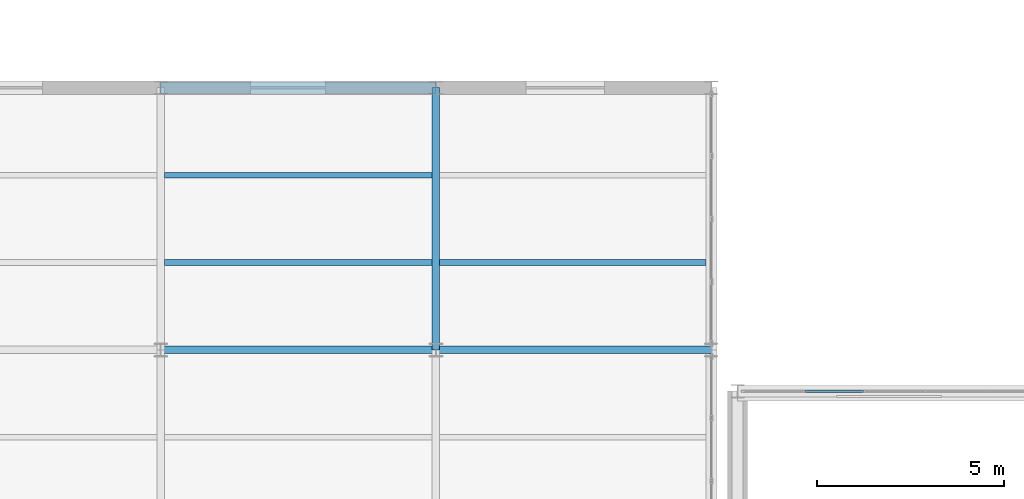
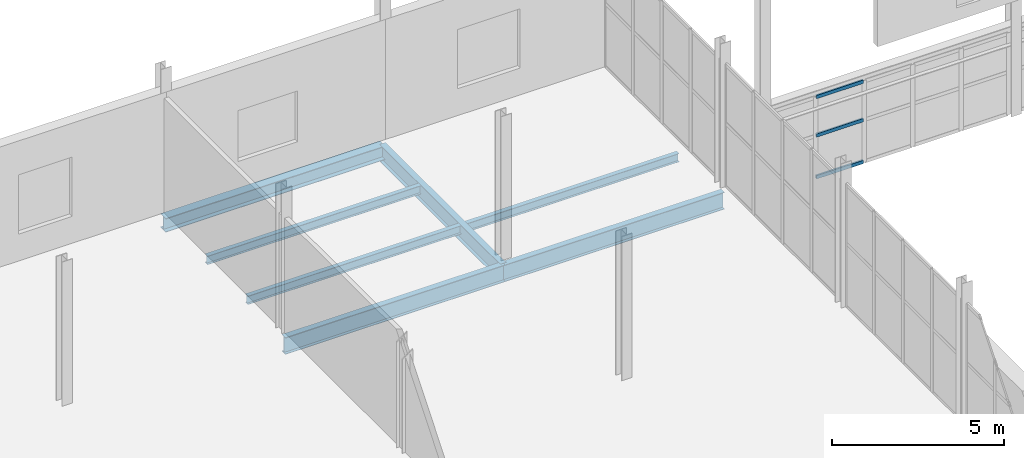
# One storey, part 58 of 218: 7 beams, 3 members, 1 element without a shape of its own.
"""IFC4 building model written with IfcOpenShell, lengths in metres."""

from ifc_helpers import new_model, si_unit, direction, frame, origin, origin_2d, place, context, subcontext, project, spatial, hollow_rectangle, i_section, extrude, material, material_profile, profile_set, type_object, element, aggregate, save


model = new_model("IFC4")

# Units and contexts
model_context = context("Model", 3, precision=1e-05, world=origin(), true_north=direction((0.0, 1.0)))
body_context = subcontext(model_context, "Body", "Model", "MODEL_VIEW")
ifc_project = project(units=[si_unit("LENGTHUNIT", "METRE"), si_unit("AREAUNIT", "SQUARE_METRE"), si_unit("VOLUMEUNIT", "CUBIC_METRE"), si_unit("PLANEANGLEUNIT", "RADIAN"), si_unit("MASSUNIT", "GRAM", prefix="KILO")], contexts=[model_context])

# Site, building, storey
site_placement = place(None, origin())
site = spatial("IfcSite", under=ifc_project, at=site_placement, CompositionType="ELEMENT")
building_placement = place(site_placement, origin())
building = spatial("IfcBuilding", under=site, at=building_placement, Name="Kazenagashi Tramway Depot", CompositionType="ELEMENT")
storey_placement = place(building_placement, frame((0.0, 0.0, 6.0)))
storey = spatial("IfcBuildingStorey", under=building, at=storey_placement, Name="L02", CompositionType="ELEMENT", Elevation=6.0)

# Beams
ifc_material_1 = material(Name="Steel SN490B", Category="steel")
ifc_material_profile_1 = material_profile(ifc_material_1, i_section(OverallWidth=0.2, OverallDepth=0.6, WebThickness=0.011, FlangeThickness=0.017, at=origin_2d()), Name="H-600x200x11x17")
ifc_profile_set_1 = profile_set([ifc_material_profile_1], Name="Steel SN490B")
beam_type_1 = type_object("IfcBeamType", Name="G-03", PredefinedType="BEAM", material=ifc_profile_set_1)
for number, where, z_axis, x_axis, name in (
    (1, (29.4, 56.0, -0.55), (1.0, 0.0, 0.0), (0.0, 1.0, 0.0), "Beam G-03 BM-0047"),
    (2, (36.75, 56.0, -0.55), (1.0, 0.0, 0.0), (0.0, 1.0, 0.0), "Beam G-03 BM-0048"),
):
    element("IfcBeam", number, at=place(storey_placement, frame(where, z_axis=z_axis, x_axis=x_axis)), inside=storey, type_object=beam_type_1, Name=name, PredefinedType="BEAM", context=body_context, shape_type="SweptSolid", body=[
        extrude(i_section(OverallWidth=0.2, OverallDepth=0.6, WebThickness=0.011, FlangeThickness=0.017, at=origin_2d()), origin(), (0.0, 0.0, 1.0), 7.35),
    ])
beam_1_placement = place(storey_placement, frame((36.75, 56.0, -0.55), z_axis=(0.0, 1.0, 0.0), x_axis=(-1.0, 0.0, 0.0)))
element("IfcBeam", 3, at=beam_1_placement, inside=storey, type_object=beam_type_1, Name="Beam G-03 BM-0206", PredefinedType="BEAM", context=body_context, shape_type="SweptSolid", body=[
    extrude(i_section(OverallWidth=0.2, OverallDepth=0.6, WebThickness=0.011, FlangeThickness=0.017, at=origin_2d()), origin(), (0.0, 0.0, 1.0), 7.0),
])
ifc_material_2 = material(Name="Steel SN400B", Category="steel")
ifc_material_profile_2 = material_profile(ifc_material_2, i_section(OverallWidth=0.15, OverallDepth=0.3, WebThickness=0.0065, FlangeThickness=0.009, at=origin_2d()), Name="H-300x150x6.5x9")
ifc_profile_set_2 = profile_set([ifc_material_profile_2], Name="Steel SN400B")
beam_type_2 = type_object("IfcBeamType", Name="J-02", PredefinedType="JOIST", material=ifc_profile_set_2)
for number, where, z_axis, x_axis, name in (
    (4, (29.5, 58.333, -0.4), (1.0, 0.0, 0.0), (0.0, 1.0, 0.0), "Beam J-02 BM-0180"),
    (5, (29.5, 60.667, -0.4), (1.0, 0.0, 0.0), (0.0, 1.0, 0.0), "Beam J-02 BM-0181"),
):
    element("IfcBeam", number, at=place(storey_placement, frame(where, z_axis=z_axis, x_axis=x_axis)), inside=storey, type_object=beam_type_2, Name=name, PredefinedType="JOIST", context=body_context, shape_type="SweptSolid", body=[
        extrude(i_section(OverallWidth=0.15, OverallDepth=0.3, WebThickness=0.0065, FlangeThickness=0.009, at=origin_2d()), origin(), (0.0, 0.0, 1.0), 7.15),
    ])
beam_2_placement = place(storey_placement, frame((36.85, 58.333, -0.4), z_axis=(1.0, 0.0, 0.0), x_axis=(0.0, 1.0, 0.0)))
element("IfcBeam", 6, at=beam_2_placement, inside=storey, type_object=beam_type_2, Name="Beam J-02 BM-0207", PredefinedType="JOIST", context=body_context, shape_type="SweptSolid", body=[
    extrude(i_section(OverallWidth=0.15, OverallDepth=0.3, WebThickness=0.0065, FlangeThickness=0.009, at=origin_2d()), origin(), (0.0, 0.0, 1.0), 7.1),
])
ifc_material_profile_3 = material_profile(ifc_material_1, i_section(OverallWidth=0.3, OverallDepth=0.488, WebThickness=0.011, FlangeThickness=0.018, at=origin_2d()), Name="H-488x300x11x18")
ifc_profile_set_3 = profile_set([ifc_material_profile_3], Name="Steel SN490B")
beam_type_3 = type_object("IfcBeamType", Name="SP-02", PredefinedType="SPANDREL", material=ifc_profile_set_3)
beam_3_placement = place(storey_placement, frame((29.4, 63.0, -0.494), z_axis=(1.0, 0.0, 0.0), x_axis=(0.0, 1.0, 0.0)))
element("IfcBeam", 7, at=beam_3_placement, inside=storey, type_object=beam_type_3, Name="Beam SP-02 BM-0053", PredefinedType="SPANDREL", context=body_context, shape_type="SweptSolid", body=[
    extrude(i_section(OverallWidth=0.3, OverallDepth=0.488, WebThickness=0.011, FlangeThickness=0.018, at=origin_2d()), origin(), (0.0, 0.0, 1.0), 7.35),
])

# Curtain wall, members
ifc_material_3 = material(Name="Anodised Aluminium and Low-E Glazing", Category="aluminium")
curtain_wall_type = type_object("IfcCurtainWallType", Name="CW-21", PredefinedType="USERDEFINED", material=ifc_material_3)
curtain_wall_placement = place(storey_placement, origin())
curtain_wall = element("IfcCurtainWall", 8, at=curtain_wall_placement, inside=storey, type_object=curtain_wall_type, Name="Industrial Glazed Screen CW-21 CW-0107", ObjectType="GLAZED SCREEN", PredefinedType="USERDEFINED")
ifc_material_4 = material(Name="Anodised Aluminium", Category="aluminium")
ifc_material_profile_4 = material_profile(ifc_material_4, hollow_rectangle(XDim=0.06, YDim=0.12, WallThickness=0.004, at=origin_2d()), Name="RHS-120x60x4")
ifc_profile_set_4 = profile_set([ifc_material_profile_4], Name="Anodised Aluminium")
member_type = type_object("IfcMemberType", Name="TR-01", PredefinedType="USERDEFINED", material=ifc_profile_set_4)
member_1_placement = place(storey_placement, frame((46.594, 54.9, 0.03), z_axis=(1.0, 0.0, 0.0), x_axis=(0.0, 1.0, 0.0)))
member_1 = element("IfcMember", 9, at=member_1_placement, type_object=member_type, Name="CW-21 transom 2.1", ObjectType="TRANSOM", PredefinedType="USERDEFINED", context=body_context, shape_type="SweptSolid", body=[
    extrude(hollow_rectangle(XDim=0.06, YDim=0.12, WallThickness=0.004, at=origin_2d()), origin(), (0.0, 0.0, 1.0), 1.564),
])
member_2_placement = place(storey_placement, frame((46.594, 54.9, 1.508), z_axis=(1.0, 0.0, 0.0), x_axis=(0.0, 1.0, 0.0)))
member_2 = element("IfcMember", 10, at=member_2_placement, type_object=member_type, Name="CW-21 transom 2.2", ObjectType="TRANSOM", PredefinedType="USERDEFINED", context=body_context, shape_type="SweptSolid", body=[
    extrude(hollow_rectangle(XDim=0.06, YDim=0.12, WallThickness=0.004, at=origin_2d()), origin(), (0.0, 0.0, 1.0), 1.564),
])
member_3_placement = place(storey_placement, frame((46.594, 54.9, 2.87), z_axis=(1.0, 0.0, 0.0), x_axis=(0.0, 1.0, 0.0)))
member_3 = element("IfcMember", 11, at=member_3_placement, type_object=member_type, Name="CW-21 transom 2.3", ObjectType="TRANSOM", PredefinedType="USERDEFINED", context=body_context, shape_type="SweptSolid", body=[
    extrude(hollow_rectangle(XDim=0.06, YDim=0.12, WallThickness=0.004, at=origin_2d()), origin(), (0.0, 0.0, 1.0), 1.564),
])
aggregate(curtain_wall, [member_1, member_2, member_3])

save(model, "model.ifc")
